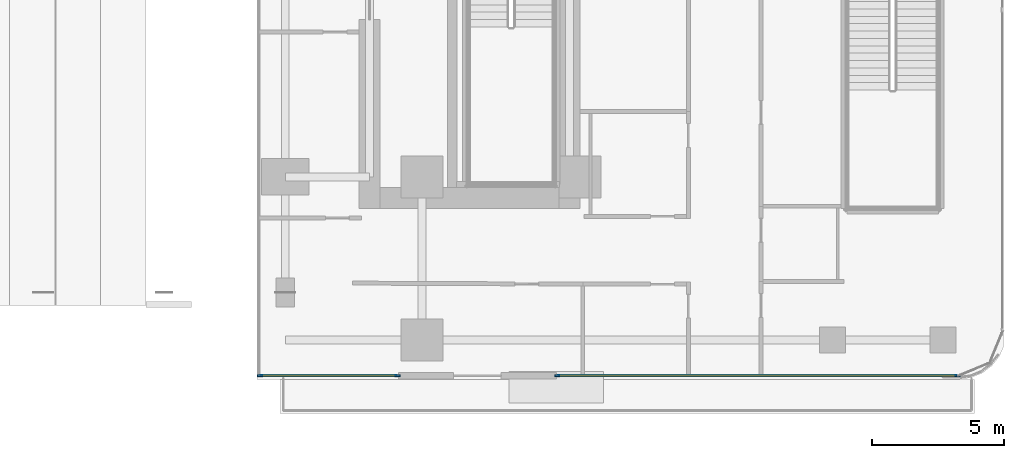
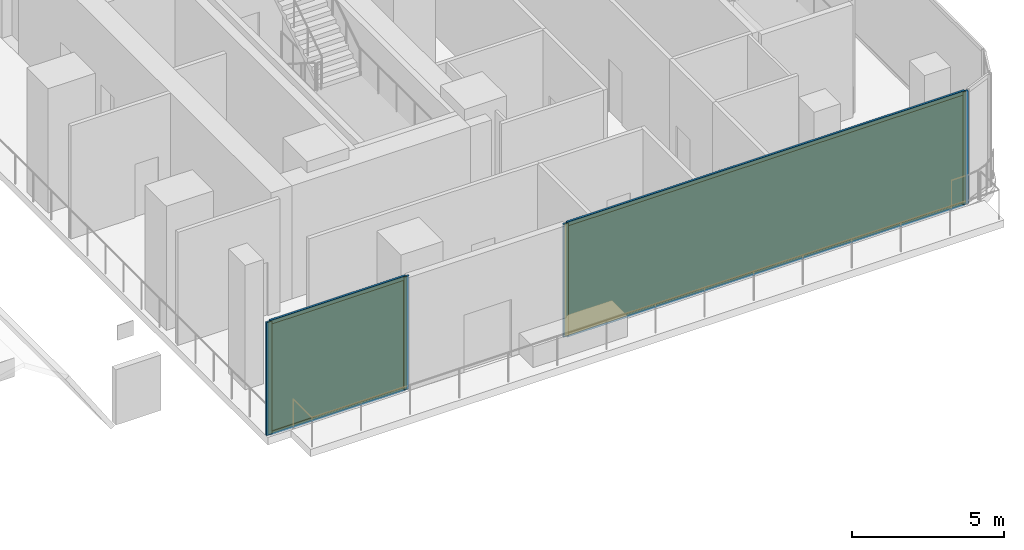
# One storey, part 18 of 32: 8 members, 2 curtain walls, 2 plates.
"""IFC4 building model written with IfcOpenShell, lengths in metres."""

from ifc_helpers import new_model, si_unit, direction, frame, frame_2d, origin, origin_2d, place, context, subcontext, project, spatial, rectangle, extrude, material, layer, layer_set, material_profile, profile_set, type_object, element, aggregate, save


model = new_model("IFC4")

# Units and contexts
model_context = context("Model", 3, precision=1e-05, world=origin(), true_north=direction((0.0, 1.0)))
body_context = subcontext(model_context, "Body", "Model", "MODEL_VIEW")
ifc_project = project(units=[si_unit("LENGTHUNIT", "METRE"), si_unit("AREAUNIT", "SQUARE_METRE"), si_unit("VOLUMEUNIT", "CUBIC_METRE"), si_unit("PLANEANGLEUNIT", "RADIAN"), si_unit("MASSUNIT", "GRAM", prefix="KILO")], contexts=[model_context])

# Member
ifc_material_1 = material(Name="Anodised Bronze Aluminium 6063-T6", Category="aluminium")
ifc_material_profile_1 = material_profile(ifc_material_1, rectangle(XDim=0.074951171875, YDim=0.199951171875, at=origin_2d()))
ifc_profile_set_1 = profile_set([ifc_material_profile_1], Name="Anodised Bronze Aluminium 6063-T6")
member_type_1 = type_object("IfcMemberType", Name="CW-POD Mullion 75x200", PredefinedType="MULLION", material=ifc_profile_set_1)
site_placement = place(None, origin())
building_placement = place(site_placement, origin())
storey_placement = place(building_placement, frame((0.0, 0.0, 16.0)))
member_1_placement = place(storey_placement, frame((8.237548828125, -26.159912109375, 0.0), z_axis=(0.0, 0.0, 1.0), x_axis=(0.0, 1.0, 0.0)))
member_1 = element("IfcMember", 1, at=member_1_placement, type_object=member_type_1, Name="CW-POD mullion 1", PredefinedType="MULLION", context=body_context, shape_type="SweptSolid", body=[
    extrude(rectangle(XDim=0.074951171875, YDim=0.199951171875, at=origin_2d()), origin(), (0.0, 0.0, 1.0), 4.550048828125),
])

member_2_placement = place(storey_placement, frame((13.46240234375, -26.159912109375, 0.0), z_axis=(0.0, 0.0, 1.0), x_axis=(0.0, 1.0, 0.0)))
member_2 = element("IfcMember", 2, at=member_2_placement, type_object=member_type_1, Name="CW-POD mullion 2", PredefinedType="MULLION", context=body_context, shape_type="SweptSolid", body=[
    extrude(rectangle(XDim=0.074951171875, YDim=0.199951171875, at=origin_2d()), origin(), (0.0, 0.0, 1.0), 4.550048828125),
])

member_3_placement = place(storey_placement, frame((19.53759765625, -26.159912109375, 0.0), z_axis=(0.0, 0.0, 1.0), x_axis=(0.0, 1.0, 0.0)))
member_3 = element("IfcMember", 3, at=member_3_placement, type_object=member_type_1, Name="CW-POD mullion 1", PredefinedType="MULLION", context=body_context, shape_type="SweptSolid", body=[
    extrude(rectangle(XDim=0.074951171875, YDim=0.199951171875, at=origin_2d()), origin(), (0.0, 0.0, 1.0), 4.550048828125),
])

member_4_placement = place(storey_placement, frame((34.75341796875, -26.159912109375, 0.0), z_axis=(0.0, 0.0, 1.0), x_axis=(0.0, 1.0, 0.0)))
member_4 = element("IfcMember", 4, at=member_4_placement, type_object=member_type_1, Name="CW-POD mullion 2", PredefinedType="MULLION", context=body_context, shape_type="SweptSolid", body=[
    extrude(rectangle(XDim=0.074951171875, YDim=0.199951171875, at=origin_2d()), origin(), (0.0, 0.0, 1.0), 4.550048828125),
])

ifc_material_2 = material(Name="Anodised Bronze Aluminium 6063-T6", Category="aluminium")
ifc_material_profile_2 = material_profile(ifc_material_2, rectangle(XDim=0.074951171875, YDim=0.159912109375, at=origin_2d()))
ifc_profile_set_2 = profile_set([ifc_material_profile_2], Name="Anodised Bronze Aluminium 6063-T6")
member_type_2 = type_object("IfcMemberType", Name="CW-POD Transom 75x160", PredefinedType="USERDEFINED", material=ifc_profile_set_2)
member_5_placement = place(storey_placement, frame((8.27490234375, -26.159912109375, 0.03759765625), z_axis=(1.0, 0.0, 0.0), x_axis=(0.0, 1.0, 0.0)))
member_5 = element("IfcMember", 5, at=member_5_placement, type_object=member_type_2, Name="CW-POD transom 1.1", ObjectType="TRANSOM", PredefinedType="USERDEFINED", context=body_context, shape_type="SweptSolid", body=[
    extrude(rectangle(XDim=0.074951171875, YDim=0.159912109375, at=origin_2d()), origin(), (0.0, 0.0, 1.0), 5.150146484375),
])

member_6_placement = place(storey_placement, frame((8.27490234375, -26.159912109375, 4.512451171875), z_axis=(1.0, 0.0, 0.0), x_axis=(0.0, 1.0, 0.0)))
member_6 = element("IfcMember", 6, at=member_6_placement, type_object=member_type_2, Name="CW-POD transom 1.2", ObjectType="TRANSOM", PredefinedType="USERDEFINED", context=body_context, shape_type="SweptSolid", body=[
    extrude(rectangle(XDim=0.074951171875, YDim=0.159912109375, at=origin_2d()), origin(), (0.0, 0.0, 1.0), 5.150146484375),
])

member_7_placement = place(storey_placement, frame((19.574951171875, -26.159912109375, 0.03759765625), z_axis=(1.0, 0.0, 0.0), x_axis=(0.0, 1.0, 0.0)))
member_7 = element("IfcMember", 7, at=member_7_placement, type_object=member_type_2, Name="CW-POD transom 1.1", ObjectType="TRANSOM", PredefinedType="USERDEFINED", context=body_context, shape_type="SweptSolid", body=[
    extrude(rectangle(XDim=0.074951171875, YDim=0.159912109375, at=origin_2d()), origin(), (0.0, 0.0, 1.0), 15.140869140625),
])

member_8_placement = place(storey_placement, frame((19.574951171875, -26.159912109375, 4.512451171875), z_axis=(1.0, 0.0, 0.0), x_axis=(0.0, 1.0, 0.0)))
member_8 = element("IfcMember", 8, at=member_8_placement, type_object=member_type_2, Name="CW-POD transom 1.2", ObjectType="TRANSOM", PredefinedType="USERDEFINED", context=body_context, shape_type="SweptSolid", body=[
    extrude(rectangle(XDim=0.074951171875, YDim=0.159912109375, at=origin_2d()), origin(), (0.0, 0.0, 1.0), 15.140869140625),
])

# Plate
ifc_material_3 = material(Name="Low-E Solar Control Laminated Glass", Category="glass")
ifc_layer_1 = layer(ifc_material_3, 0.031982421875, Name="Low-E Solar Control Laminated Glass")
ifc_layer_set_1 = layer_set([ifc_layer_1], Name="Low-E Solar Control Laminated Glass")
plate_type = type_object("IfcPlateType", Name="CW-POD Low-E Double Glazed Panel 32mm", PredefinedType="CURTAIN_PANEL", material=ifc_layer_set_1)
plate_1_placement = place(storey_placement, frame((10.85009765625, -26.159912109375, 0.074951171875), z_axis=(0.0, 0.0, 1.0), x_axis=(1.0, 0.0, 0.0)))
plate_1 = element("IfcPlate", 9, at=plate_1_placement, type_object=plate_type, Name="CW-POD panel 1.1", PredefinedType="CURTAIN_PANEL", context=body_context, shape_type="SweptSolid", body=[
    extrude(rectangle(XDim=5.14990234375, YDim=0.031982421875, at=origin_2d()), origin(), (0.0, 0.0, 1.0), 4.39990234375),
])

plate_2_placement = place(storey_placement, frame((27.1455078125, -26.159912109375, 0.074951171875), z_axis=(0.0, 0.0, 1.0), x_axis=(1.0, 0.0, 0.0)))
plate_2 = element("IfcPlate", 10, at=plate_2_placement, type_object=plate_type, Name="CW-POD panel 1.1", PredefinedType="CURTAIN_PANEL", context=body_context, shape_type="SweptSolid", body=[
    extrude(rectangle(XDim=15.140869140625, YDim=0.031982421875, at=origin_2d()), origin(), (0.0, 0.0, 1.0), 4.39990234375),
])

# Site, building, storey
site = spatial("IfcSite", under=ifc_project, at=site_placement, CompositionType="ELEMENT")
building = spatial("IfcBuilding", under=site, at=building_placement, Name="Khairoan Windgate Tower", CompositionType="ELEMENT")
storey = spatial("IfcBuildingStorey", under=building, at=storey_placement, Name="L04", CompositionType="ELEMENT", Elevation=16.0)

# Curtain wall
ifc_material_4 = material(Name="Anodised Bronze Aluminium 6063-T6", Category="aluminium")
ifc_layer_2 = layer(ifc_material_4, 0.199951171875, Name="Anodised Bronze Aluminium 6063-T6")
ifc_layer_set_2 = layer_set([ifc_layer_2], Name="Anodised Bronze Aluminium 6063-T6")
curtain_wall_type = type_object("IfcCurtainWallType", Name="Podium Arch Galleria Curtain Wall CW-POD", PredefinedType="NOTDEFINED", material=ifc_layer_set_2)
curtain_wall_1_placement = place(storey_placement, frame((8.199951171875, -26.159912109375, 0.0), z_axis=(0.0, 0.0, 1.0), x_axis=(1.0, 0.0, 0.0)))
curtain_wall_1 = element("IfcCurtainWall", 11, at=curtain_wall_1_placement, inside=storey, type_object=curtain_wall_type, Name="L04 East Wing CW 8A", PredefinedType="NOTDEFINED", context=body_context, shape_type="SweptSolid", body=[
    extrude(rectangle(XDim=5.300048828125, YDim=0.010009765625, at=frame_2d((2.64990234375, 0.0))), origin(), (0.0, 0.0, 1.0), 4.550048828125),
])

aggregate(curtain_wall_1, [member_1, member_2, member_5, member_6, plate_1])

curtain_wall_2_placement = place(storey_placement, frame((19.5, -26.159912109375, 0.0), z_axis=(0.0, 0.0, 1.0), x_axis=(1.0, 0.0, 0.0)))
curtain_wall_2 = element("IfcCurtainWall", 12, at=curtain_wall_2_placement, inside=storey, type_object=curtain_wall_type, Name="L04 East Wing CW 8B", PredefinedType="NOTDEFINED", context=body_context, shape_type="SweptSolid", body=[
    extrude(rectangle(XDim=15.290771484375, YDim=0.010009765625, at=frame_2d((7.6455078125, 0.0))), origin(), (0.0, 0.0, 1.0), 4.550048828125),
])

aggregate(curtain_wall_2, [member_3, member_4, member_7, member_8, plate_2])

save(model, "model.ifc")
